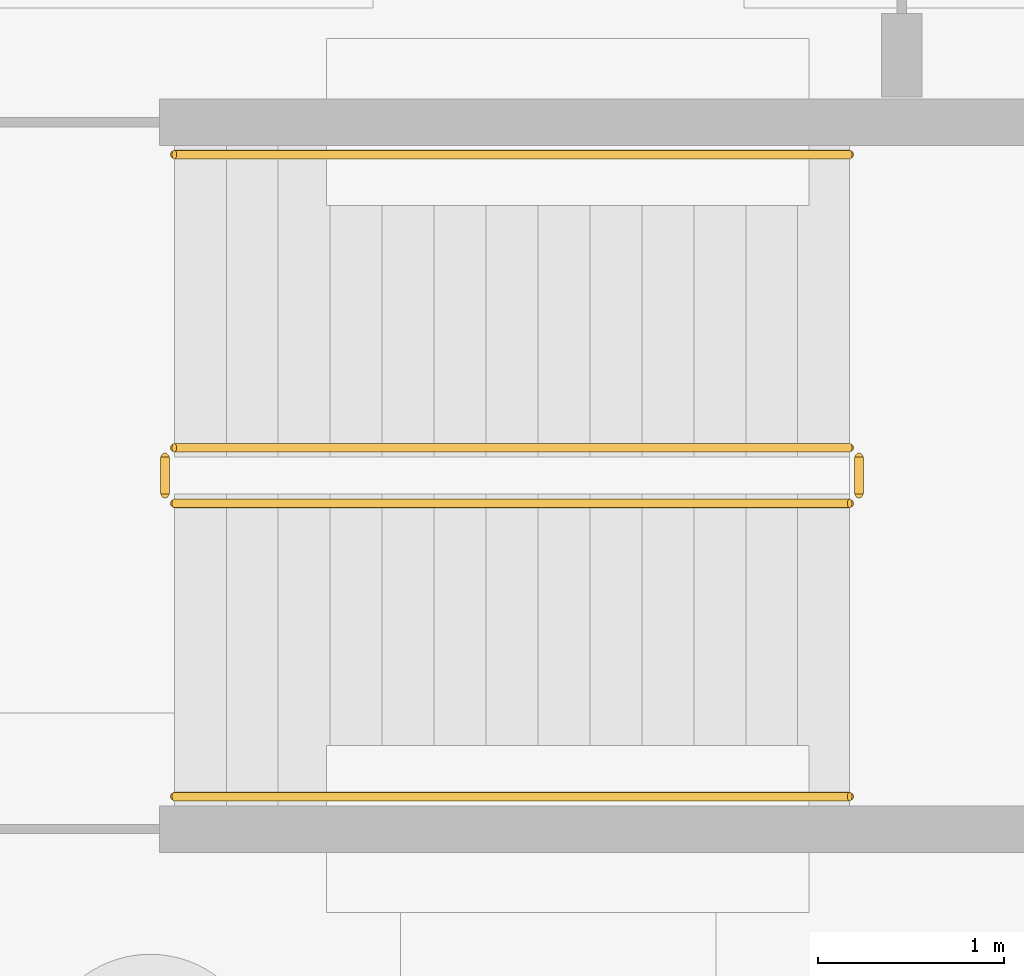
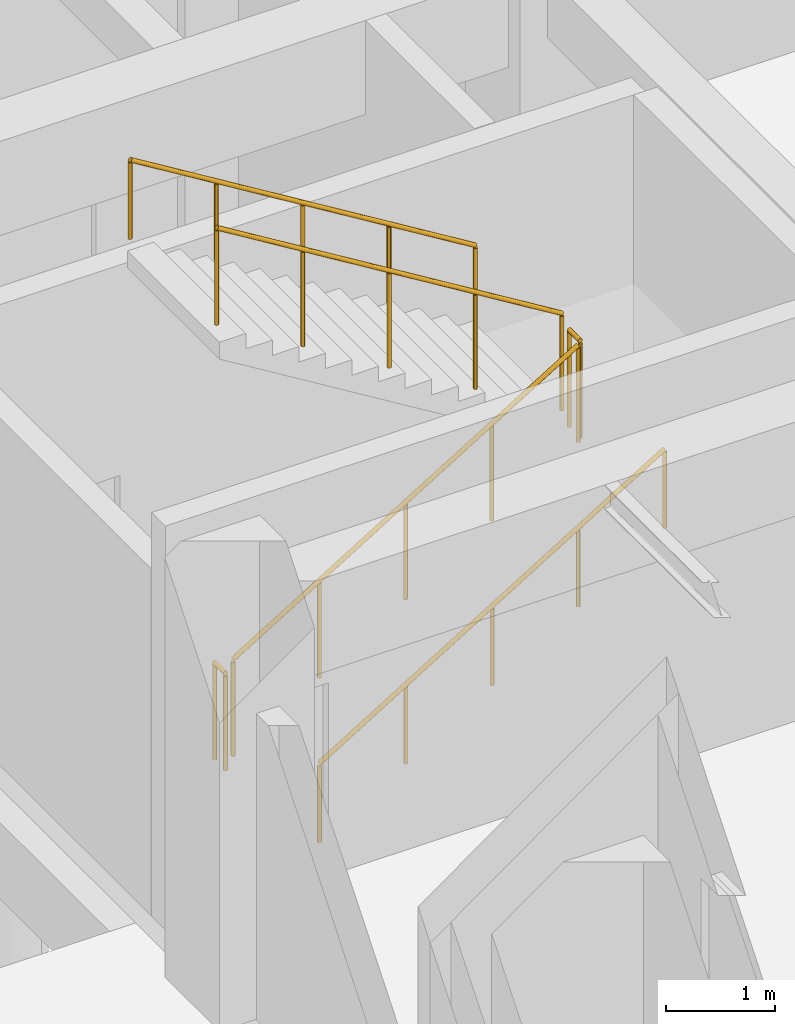
# One storey, part 31 of 38: 6 railings.
"""IFC4 building model written with IfcOpenShell, lengths in metres."""

from ifc_helpers import new_model, si_unit, direction, frame, origin, origin_2d, place, context, subcontext, project, spatial, circle, extrude, material, layer, layer_set, type_object, element, save


model = new_model("IFC4")

# Units and contexts
model_context = context("Model", 3, precision=1e-05, world=origin(), true_north=direction((0.0, 1.0)))
body_context = subcontext(model_context, "Body", "Model", "MODEL_VIEW")
ifc_project = project(units=[si_unit("LENGTHUNIT", "METRE"), si_unit("AREAUNIT", "SQUARE_METRE"), si_unit("VOLUMEUNIT", "CUBIC_METRE"), si_unit("PLANEANGLEUNIT", "RADIAN"), si_unit("MASSUNIT", "GRAM", prefix="KILO")], contexts=[model_context])

# Site, building, storey
site_placement = place(None, origin())
site = spatial("IfcSite", under=ifc_project, at=site_placement, CompositionType="ELEMENT")
building_placement = place(site_placement, origin())
building = spatial("IfcBuilding", under=site, at=building_placement, Name="Qasida Concert Hall", CompositionType="ELEMENT")
storey_placement = place(building_placement, frame((0.0, 0.0, -4.800048828125)))
storey = spatial("IfcBuildingStorey", under=building, at=storey_placement, Name="B1", CompositionType="ELEMENT", Elevation=-4.800048828125)

# Railings
ifc_material_1 = material(Name="Patinated architectural bronze and laminated glass infill", Category="glass")
ifc_layer_1 = layer(ifc_material_1, 0.080078125, Name="Patinated architectural bronze and laminated glass infill")
ifc_layer_set_1 = layer_set([ifc_layer_1], Name="Patinated architectural bronze and laminated glass infill")
railing_type_1 = type_object("IfcRailingType", Name="RL-GRD-1100", PredefinedType="GUARDRAIL", material=ifc_layer_set_1)
railing_1_placement = place(storey_placement, frame((54.179931640625, 48.030029296875, 0.17138671875)))
element("IfcRailing", 1, at=railing_1_placement, inside=storey, type_object=railing_type_1, Name="B1 ST-01 stair guard 1", PredefinedType="GUARDRAIL", context=body_context, shape_type="SweptSolid", body=[
    extrude(circle(Radius=0.02392578125, at=origin_2d()), frame((0.0, 0.0, 1.076171875), z_axis=(0.852840387347, 0.0, 0.522171689878), x_axis=(0.0, 1.0, 0.0)), (0.0, 0.0, 1.0), 4.268310546875),
    extrude(circle(Radius=0.02099609375, at=origin_2d()), origin(), (0.0, 0.0, 1.0), 1.052001953125),
    extrude(circle(Radius=0.02099609375, at=origin_2d()), frame((0.91015625, 0.0, 0.55712890625)), (0.0, 0.0, 1.0), 1.052001953125),
    extrude(circle(Radius=0.02099609375, at=origin_2d()), frame((1.820068359375, 0.0, 1.1142578125)), (0.0, 0.0, 1.0), 1.052001953125),
    extrude(circle(Radius=0.02099609375, at=origin_2d()), frame((2.72998046875, 0.0, 1.671630859375)), (0.0, 0.0, 1.0), 1.052001953125),
    extrude(circle(Radius=0.02099609375, at=origin_2d()), frame((3.64013671875, 0.0, 2.228759765625)), (0.0, 0.0, 1.0), 1.052001953125),
])
railing_2_placement = place(storey_placement, frame((57.8701171875, 48.080078125, 2.400146484375)))
element("IfcRailing", 2, at=railing_2_placement, inside=storey, type_object=railing_type_1, Name="B1 ST-01 stair guard 2", PredefinedType="GUARDRAIL", context=body_context, shape_type="SweptSolid", body=[
    extrude(circle(Radius=0.02392578125, at=origin_2d()), frame((0.0, 0.0, 1.076171875), z_axis=(0.0, 1.0, 0.0), x_axis=(-1.0, 0.0, 0.0)), (0.0, 0.0, 1.0), 0.199951171875),
    extrude(circle(Radius=0.02099609375, at=origin_2d()), origin(), (0.0, 0.0, 1.0), 1.052001953125),
    extrude(circle(Radius=0.02099609375, at=origin_2d()), frame((0.0, 0.199951171875, 0.0)), (0.0, 0.0, 1.0), 1.052001953125),
])
railing_3_placement = place(storey_placement, frame((57.820068359375, 48.330078125, 2.571533203125)))
element("IfcRailing", 3, at=railing_3_placement, inside=storey, type_object=railing_type_1, Name="B1 ST-01 stair guard 3", PredefinedType="GUARDRAIL", context=body_context, shape_type="SweptSolid", body=[
    extrude(circle(Radius=0.02392578125, at=origin_2d()), frame((0.0, 0.0, 1.076171875), z_axis=(-0.852865859571, 0.0, 0.52213008492), x_axis=(0.0, -1.0, 0.0)), (0.0, 0.0, 1.0), 4.26806640625),
    extrude(circle(Radius=0.02099609375, at=origin_2d()), origin(), (0.0, 0.0, 1.0), 1.052001953125),
    extrude(circle(Radius=0.02099609375, at=origin_2d()), frame((-0.91015625, 0.0, 0.55712890625)), (0.0, 0.0, 1.0), 1.052001953125),
    extrude(circle(Radius=0.02099609375, at=origin_2d()), frame((-1.820068359375, 0.0, 1.1142578125)), (0.0, 0.0, 1.0), 1.052001953125),
    extrude(circle(Radius=0.02099609375, at=origin_2d()), frame((-2.72998046875, 0.0, 1.67138671875)), (0.0, 0.0, 1.0), 1.052001953125),
    extrude(circle(Radius=0.02099609375, at=origin_2d()), frame((-3.64013671875, 0.0, 2.228515625)), (0.0, 0.0, 1.0), 1.052001953125),
])
railing_4_placement = place(storey_placement, frame((54.1298828125, 48.080078125, 0.0)))
element("IfcRailing", 4, at=railing_4_placement, inside=storey, type_object=railing_type_1, Name="B1 ST-01 stair guard 4", PredefinedType="GUARDRAIL", context=body_context, shape_type="SweptSolid", body=[
    extrude(circle(Radius=0.02392578125, at=origin_2d()), frame((0.0, 0.0, 1.076171875), z_axis=(0.0, 1.0, 0.0), x_axis=(-1.0, 0.0, 0.0)), (0.0, 0.0, 1.0), 0.199951171875),
    extrude(circle(Radius=0.02099609375, at=origin_2d()), origin(), (0.0, 0.0, 1.0), 1.052001953125),
    extrude(circle(Radius=0.02099609375, at=origin_2d()), frame((0.0, 0.199951171875, 0.0)), (0.0, 0.0, 1.0), 1.052001953125),
])
ifc_material_2 = material(Name="Patinated tubular architectural bronze", Category="steel")
ifc_layer_2 = layer(ifc_material_2, 0.050048828125, Name="Patinated tubular architectural bronze")
ifc_layer_set_2 = layer_set([ifc_layer_2], Name="Patinated tubular architectural bronze")
railing_type_2 = type_object("IfcRailingType", Name="RL-HND-900", PredefinedType="HANDRAIL", material=ifc_layer_set_2)
railing_5_placement = place(storey_placement, frame((54.179931640625, 46.449951171875, 0.17138671875)))
element("IfcRailing", 5, at=railing_5_placement, inside=storey, type_object=railing_type_2, Name="B1 ST-01 stair handrail 1", PredefinedType="HANDRAIL", context=body_context, shape_type="SweptSolid", body=[
    extrude(circle(Radius=0.02392578125, at=origin_2d()), frame((0.0, 0.0, 0.8759765625), z_axis=(0.852840387347, 0.0, 0.522171689878), x_axis=(0.0, 1.0, 0.0)), (0.0, 0.0, 1.0), 4.268310546875),
    extrude(circle(Radius=0.02099609375, at=origin_2d()), origin(), (0.0, 0.0, 1.0), 0.851806640625),
    extrude(circle(Radius=0.02099609375, at=origin_2d()), frame((0.91015625, 0.0, 0.55712890625)), (0.0, 0.0, 1.0), 0.851806640625),
    extrude(circle(Radius=0.02099609375, at=origin_2d()), frame((1.820068359375, 0.0, 1.1142578125)), (0.0, 0.0, 1.0), 0.851806640625),
    extrude(circle(Radius=0.02099609375, at=origin_2d()), frame((2.72998046875, 0.0, 1.671630859375)), (0.0, 0.0, 1.0), 0.851806640625),
    extrude(circle(Radius=0.02099609375, at=origin_2d()), frame((3.64013671875, 0.0, 2.228759765625)), (0.0, 0.0, 1.0), 0.851806640625),
])
railing_6_placement = place(storey_placement, frame((57.820068359375, 49.909912109375, 2.571533203125)))
element("IfcRailing", 6, at=railing_6_placement, inside=storey, type_object=railing_type_2, Name="B1 ST-01 stair handrail 2", PredefinedType="HANDRAIL", context=body_context, shape_type="SweptSolid", body=[
    extrude(circle(Radius=0.02392578125, at=origin_2d()), frame((0.0, 0.0, 0.8759765625), z_axis=(-0.852865859571, 0.0, 0.52213008492), x_axis=(0.0, -1.0, 0.0)), (0.0, 0.0, 1.0), 4.26806640625),
    extrude(circle(Radius=0.02099609375, at=origin_2d()), origin(), (0.0, 0.0, 1.0), 0.851806640625),
    extrude(circle(Radius=0.02099609375, at=origin_2d()), frame((-0.91015625, 0.0, 0.55712890625)), (0.0, 0.0, 1.0), 0.851806640625),
    extrude(circle(Radius=0.02099609375, at=origin_2d()), frame((-1.820068359375, 0.0, 1.1142578125)), (0.0, 0.0, 1.0), 0.851806640625),
    extrude(circle(Radius=0.02099609375, at=origin_2d()), frame((-2.72998046875, 0.0, 1.67138671875)), (0.0, 0.0, 1.0), 0.851806640625),
    extrude(circle(Radius=0.02099609375, at=origin_2d()), frame((-3.64013671875, 0.0, 2.228515625)), (0.0, 0.0, 1.0), 0.851806640625),
])

save(model, "model.ifc")
